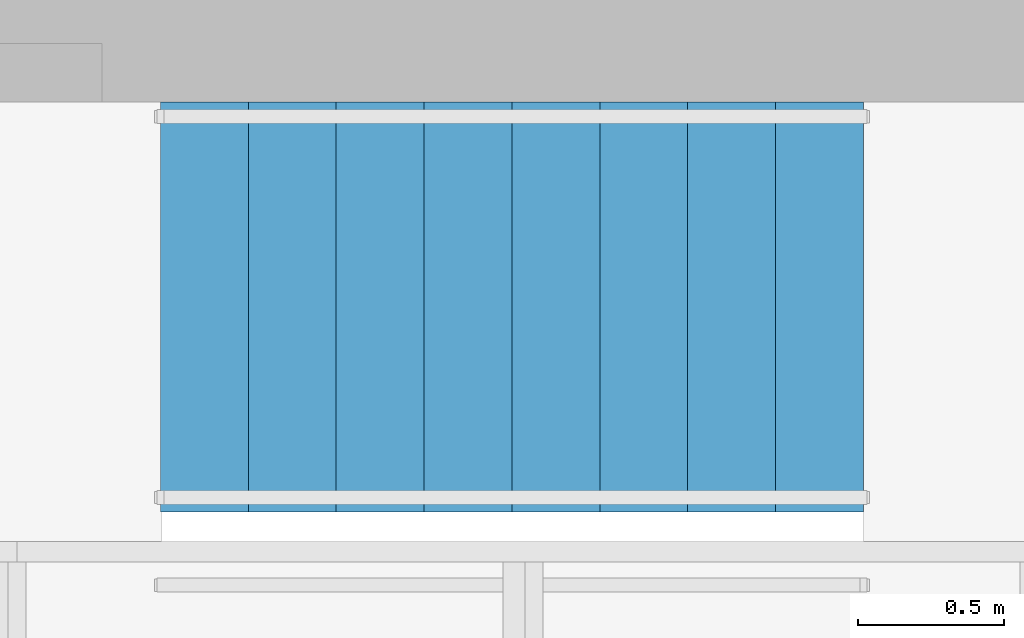
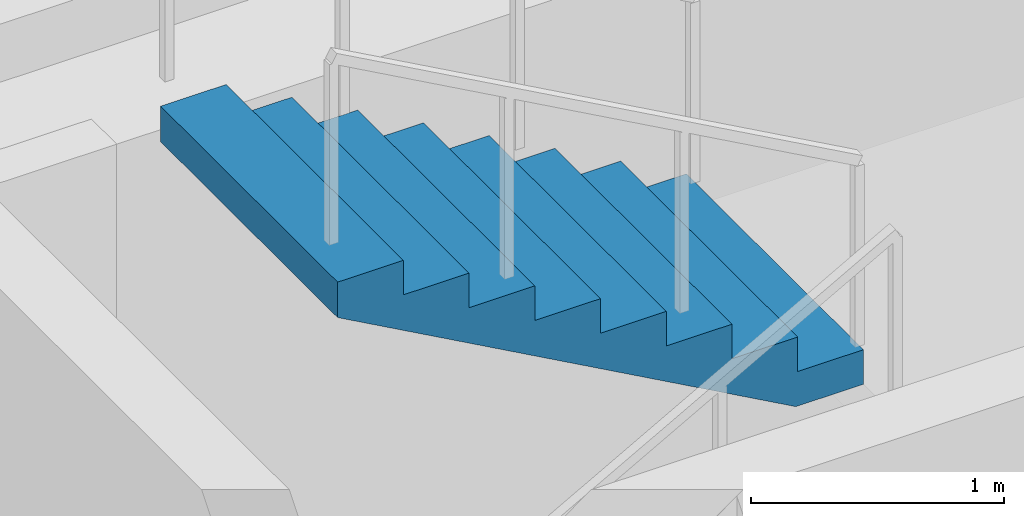
# One storey, part 17 of 19: 1 stair flight, 1 element without a shape of its own.
"""IFC4 building model written with IfcOpenShell, lengths in metres."""

from ifc_helpers import new_model, si_unit, direction, frame, origin, place, context, subcontext, project, spatial, polyline, outline, extrude, material, type_object, element, aggregate, save


model = new_model("IFC4")

# Units and contexts
model_context = context("Model", 3, precision=1e-05, world=origin(), true_north=direction((0.0, 1.0)))
body_context = subcontext(model_context, "Body", "Model", "MODEL_VIEW")
ifc_project = project(units=[si_unit("LENGTHUNIT", "METRE"), si_unit("AREAUNIT", "SQUARE_METRE"), si_unit("VOLUMEUNIT", "CUBIC_METRE"), si_unit("PLANEANGLEUNIT", "RADIAN"), si_unit("MASSUNIT", "GRAM", prefix="KILO")], contexts=[model_context])

# Site, building, storey
site_placement = place(None, origin())
site = spatial("IfcSite", under=ifc_project, at=site_placement, CompositionType="ELEMENT")
building_placement = place(site_placement, origin())
building = spatial("IfcBuilding", under=site, at=building_placement, Name="Torre Triforio", CompositionType="ELEMENT")
storey_placement = place(building_placement, frame((0.0, 0.0, 290.800048828125)))
storey = spatial("IfcBuildingStorey", under=building, at=storey_placement, Name="RF-1", CompositionType="ELEMENT", Elevation=290.800048828125)

# Stair, stair flight
ifc_material = material(Name="Concrete C40", Category="concrete")
stair_type = type_object("IfcStairType", Name="STAIR DOUBLE RETURN", PredefinedType="DOUBLE_RETURN_STAIR", material=ifc_material)
stair_placement = place(storey_placement, origin())
stair = element("IfcStair", 1, at=stair_placement, inside=storey, type_object=stair_type, Name="Exit stair 1", PredefinedType="DOUBLE_RETURN_STAIR")
stair_flight_type = type_object("IfcStairFlightType", Name="STAIR FLIGHT 1400", PredefinedType="STRAIGHT", material=ifc_material)
stair_flight_placement = place(storey_placement, frame((-4.300048828125, 6.800048828125, 4.5), z_axis=(0.0, 0.0, 1.0), x_axis=(-1.0, 0.0, 0.0)))
stair_flight = element("IfcStairFlight", 2, at=stair_flight_placement, type_object=stair_flight_type, Name="ST1 flight 4", NumberOfRisers=9, NumberOfTreads=8, PredefinedType="STRAIGHT", RiserHeight=0.166666667, TreadLength=0.3, context=body_context, shape_type="SweptSolid", body=[
    extrude(outline(polyline([(0.0, 0.0), (0.0, 0.166748046875), (0.300048828125, 0.166748046875), (0.300048828125, 0.333251953125), (0.60009765625, 0.333251953125), (0.60009765625, 0.5), (0.89990234375, 0.5), (0.89990234375, 0.666748046875), (1.199951171875, 0.666748046875), (1.199951171875, 0.833251953125), (1.5, 0.833251953125), (1.5, 1.0), (1.800048828125, 1.0), (1.800048828125, 1.166748046875), (2.10009765625, 1.166748046875), (2.10009765625, 1.333251953125), (2.39990234375, 1.333251953125), (2.39990234375, 1.5), (2.39990234375, 1.161865234375), (0.30859375, 0.0), (0.0, 0.0)])), frame((0.0, 0.699951171875, 0.0), z_axis=(0.0, -1.0, 0.0), x_axis=(1.0, 0.0, 0.0)), (0.0, 0.0, 1.0), 1.39990234375),
])
aggregate(stair, [stair_flight])

save(model, "model.ifc")
